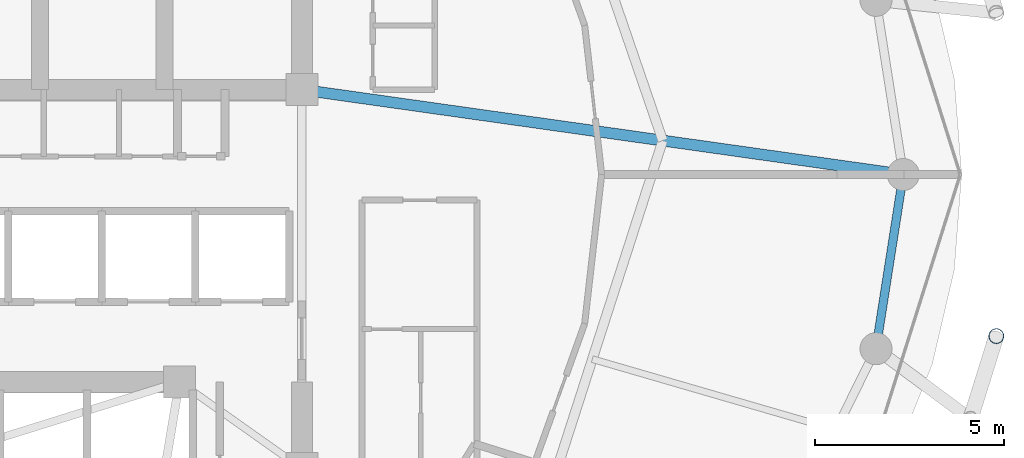
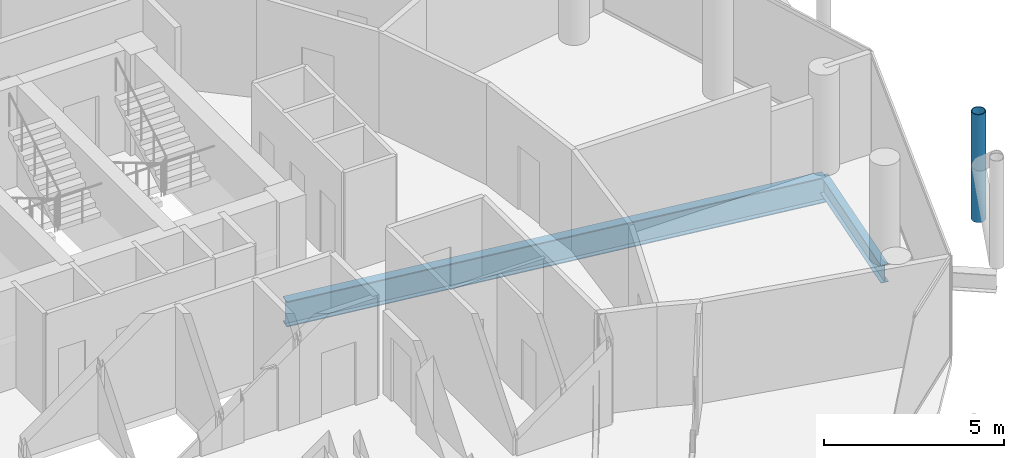
# One storey, part 14 of 27: 2 beams, 1 member.
"""IFC4 building model written with IfcOpenShell, lengths in metres."""

from ifc_helpers import new_model, si_unit, direction, frame, origin, origin_2d, place, context, subcontext, project, spatial, hollow_circle, i_section, extrude, material, material_profile, profile_set, type_object, element, save


model = new_model("IFC4")

# Units and contexts
model_context = context("Model", 3, precision=1e-05, world=origin(), true_north=direction((0.0, 1.0)))
body_context = subcontext(model_context, "Body", "Model", "MODEL_VIEW")
ifc_project = project(units=[si_unit("LENGTHUNIT", "METRE"), si_unit("AREAUNIT", "SQUARE_METRE"), si_unit("VOLUMEUNIT", "CUBIC_METRE"), si_unit("PLANEANGLEUNIT", "RADIAN"), si_unit("MASSUNIT", "GRAM", prefix="KILO")], contexts=[model_context])

# Site, building, storey
site_placement = place(None, origin())
site = spatial("IfcSite", under=ifc_project, at=site_placement, CompositionType="ELEMENT")
building_placement = place(site_placement, origin())
building = spatial("IfcBuilding", under=site, at=building_placement, Name="Nuhasar Tower", CompositionType="ELEMENT")
storey_placement = place(building_placement, frame((0.0, 0.0, 230.050048828125)))
storey = spatial("IfcBuildingStorey", under=building, at=storey_placement, Name="L56", CompositionType="ELEMENT", Elevation=230.050048828125)

# Beams
ifc_material_1 = material(Name="Steel S355", Category="steel")
ifc_material_profile_1 = material_profile(ifc_material_1, i_section(OverallWidth=0.2919921875, OverallDepth=0.85888671875, WebThickness=0.01708984375, FlangeThickness=0.031005859375, at=origin_2d()), Name="W33X169")
ifc_profile_set_1 = profile_set([ifc_material_profile_1], Name="Steel S355")
beam_type_1 = type_object("IfcBeamType", Name="BM-POD-W33X169", PredefinedType="BEAM", material=ifc_profile_set_1)
beam_1_placement = place(storey_placement, frame((44.300048828125, 29.050048828125, -0.6689453125), z_axis=(0.990196233464, -0.139683281866, 0.0), x_axis=(0.139683281866, 0.990196233464, 0.0)))
element("IfcBeam", 1, at=beam_1_placement, inside=storey, type_object=beam_type_1, Name="L56 Radial Floor Girder 04", PredefinedType="BEAM", context=body_context, shape_type="SweptSolid", body=[
    extrude(i_section(OverallWidth=0.2919921875, OverallDepth=0.85888671875, WebThickness=0.01708984375, FlangeThickness=0.031005859375, at=origin_2d()), origin(), (0.0, 0.0, 1.0), 16.10791015625),
])
ifc_material_profile_2 = material_profile(ifc_material_1, i_section(OverallWidth=0.22802734375, OverallDepth=0.60791015625, WebThickness=0.01123046875, FlangeThickness=0.017333984375, at=origin_2d()), Name="W24X76")
ifc_profile_set_2 = profile_set([ifc_material_profile_2], Name="Steel S355")
beam_type_2 = type_object("IfcBeamType", Name="BM-RING-W24X76", PredefinedType="SPANDREL", material=ifc_profile_set_2)
beam_2_placement = place(storey_placement, frame((59.52587890625, 22.179931640625, -0.5439453125), z_axis=(0.154841886404, 0.987939264436, 0.0), x_axis=(-0.987939264436, 0.154841886404, 0.0)))
element("IfcBeam", 2, at=beam_2_placement, inside=storey, type_object=beam_type_2, Name="L56 Perimeter Ring Spandrel 24", PredefinedType="SPANDREL", context=body_context, shape_type="SweptSolid", body=[
    extrude(i_section(OverallWidth=0.22802734375, OverallDepth=0.60791015625, WebThickness=0.01123046875, FlangeThickness=0.017333984375, at=origin_2d()), origin(), (0.0, 0.0, 1.0), 4.676513671875),
])

# Member
ifc_material_2 = material(Name="Steel S460", Category="steel")
ifc_material_profile_3 = material_profile(ifc_material_2, hollow_circle(Radius=0.203125, WallThickness=0.01904296875, at=origin_2d()), Name="HSS406.4X19.1")
ifc_profile_set_3 = profile_set([ifc_material_profile_3], Name="Steel S460")
member_type = type_object("IfcMemberType", Name="EXO-BRONZE-406", PredefinedType="BRACE", material=ifc_profile_set_3)
member_placement = place(storey_placement, frame((62.718017578125, 22.513916015625, 0.0), z_axis=(0.0, 0.0, 1.0), x_axis=(1.0, 0.0, 0.0)))
element("IfcMember", 3, at=member_placement, inside=storey, type_object=member_type, Name="L56 Exoskeleton Chord Column EC-12B", PredefinedType="BRACE", context=body_context, shape_type="SweptSolid", body=[
    extrude(hollow_circle(Radius=0.203125, WallThickness=0.01904296875, at=origin_2d()), origin(), (0.0, 0.0, 1.0), 3.64990234375),
])

save(model, "model.ifc")
